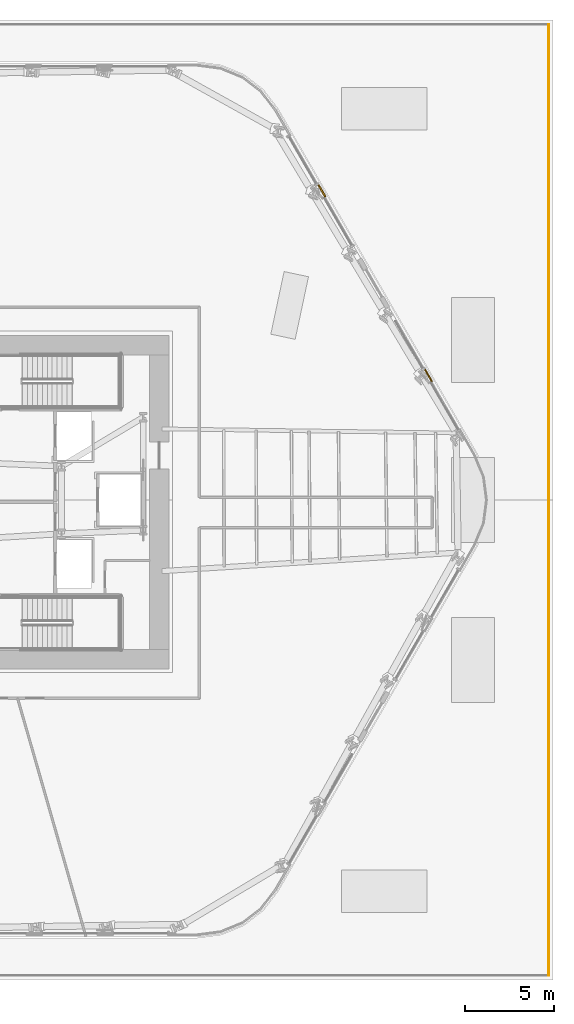
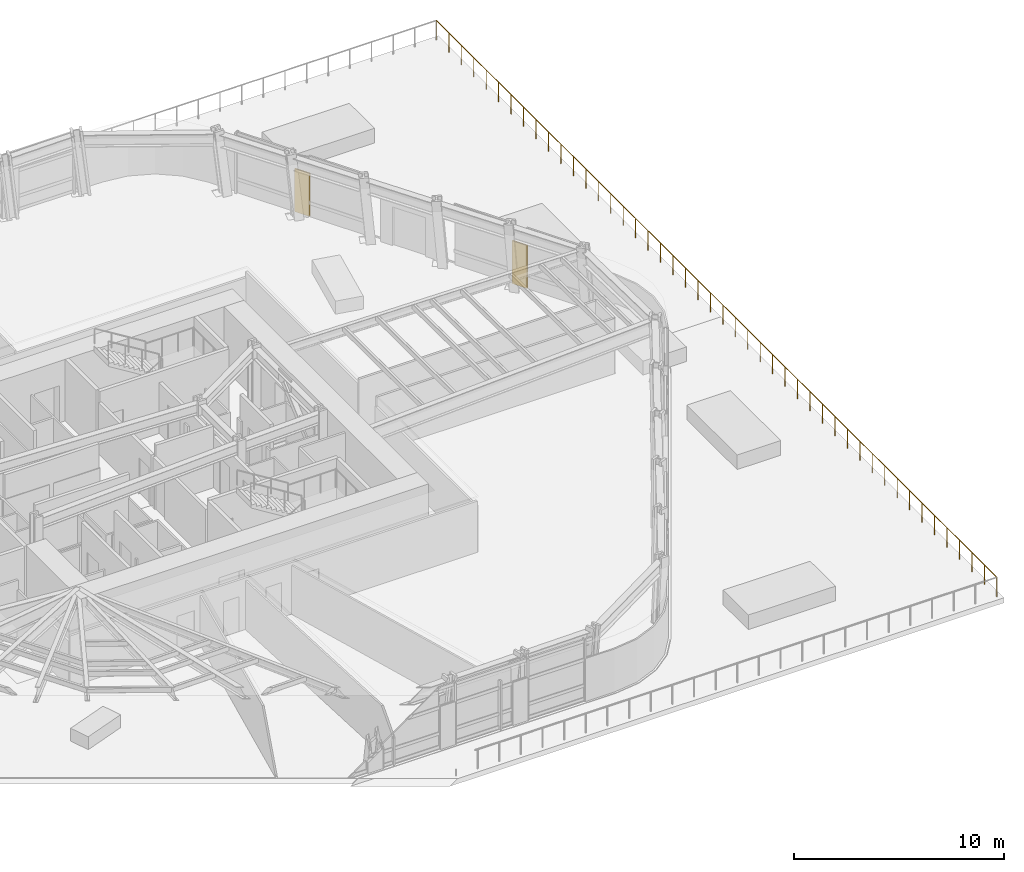
# One storey, part 17 of 18: 2 coverings, 1 railing.
"""IFC4 building model written with IfcOpenShell, lengths in metres."""

import ifcopenshell
import ifcopenshell.guid

model = None  # the IFC model being written
_history = None  # IfcOwnerHistory: only IFC2X3 demands one
_inside = {}  # id of a spatial element -> (the spatial element, [elements in it])
_under = {}  # id of a project, library or spatial element -> (it, [spatial elements below it])
_declared = {}  # id of a project -> (the project, [libraries it declares])
_typed = {}  # id of a type object -> (the type object, [elements of that type])
_made_of = {}  # id of a material, layer set ... -> (it, [elements and type objects made of it])


def new_model(schema):
    """Start an empty IFC model of exactly this schema.

    Asked for "IFC4X3", IfcOpenShell would pick the latest addendum, in which some entities
    have other attributes; the version numbers below select the first issue.
    IFC2X3 requires an IfcOwnerHistory on every rooted entity: one is made here for all.
    """
    global model, _history
    if schema == "IFC4X3":
        model = ifcopenshell.file(schema_version=(4, 3, 0, 0))
    else:
        model = ifcopenshell.file(schema=schema)
    _inside.clear()
    _under.clear()
    _declared.clear()
    _typed.clear()
    _made_of.clear()
    _history = None
    if model.schema == "IFC2X3":
        org = make("IfcOrganization", Name="unknown")
        user = make(
            "IfcPersonAndOrganization",
            ThePerson=make("IfcPerson", FamilyName="unknown"),
            TheOrganization=org,
        )
        app = make(
            "IfcApplication",
            ApplicationDeveloper=org,
            Version="unknown",
            ApplicationFullName="unknown",
            ApplicationIdentifier="unknown",
        )
        _history = make(
            "IfcOwnerHistory",
            OwningUser=user,
            OwningApplication=app,
            ChangeAction="ADDED",
            CreationDate=0,
        )
    return model


def make(cls, **values):
    """One entity of the class cls with the attributes given. An attribute that is None is left unset."""
    return model.create_entity(
        cls, **{name: value for name, value in values.items() if value is not None}
    )


def rooted(cls, **values):
    """An entity with a GlobalId (a new one), such as an element, a storey or a relation."""
    return make(cls, GlobalId=ifcopenshell.guid.new(), OwnerHistory=_history, **values)


def si_unit(unit_type, name, prefix=None):
    """IfcSIUnit, for example si_unit("LENGTHUNIT", "METRE", prefix="MILLI")."""
    return make("IfcSIUnit", UnitType=unit_type, Prefix=prefix, Name=name)


def assignment(units):
    """IfcUnitAssignment: the units of a project."""
    return None if units is None else make("IfcUnitAssignment", Units=units)


def point(xyz):
    """IfcCartesianPoint."""
    return None if xyz is None else make("IfcCartesianPoint", Coordinates=xyz)


def direction(xyz):
    """IfcDirection."""
    return None if xyz is None else make("IfcDirection", DirectionRatios=xyz)


def frame(location, z_axis=None, x_axis=None):
    """IfcAxis2Placement3D, a coordinate frame: its origin and axes. An axis left out is left unset."""
    return make(
        "IfcAxis2Placement3D",
        Location=point(location),
        Axis=direction(z_axis),
        RefDirection=direction(x_axis),
    )


def frame_2d(location, x_axis=None):
    """IfcAxis2Placement2D, a coordinate frame in the plane: its origin and x axis."""
    return make(
        "IfcAxis2Placement2D", Location=point(location), RefDirection=direction(x_axis)
    )


def origin():
    """The frame at (0, 0, 0) with its axes left unset."""
    return frame((0.0, 0.0, 0.0))


def origin_2d():
    """The frame at (0, 0) in the plane with its x axis left unset."""
    return frame_2d((0.0, 0.0))


def place(relative_to, where):
    """IfcLocalPlacement: puts the frame where relative to a parent placement (None: the world)."""
    return make(
        "IfcLocalPlacement", PlacementRelTo=relative_to, RelativePlacement=where
    )


def context(
    kind, dimensions, precision=None, world=None, true_north=None, identifier=None
):
    """IfcGeometricRepresentationContext, for example the 3D "Model" context."""
    return make(
        "IfcGeometricRepresentationContext",
        ContextIdentifier=identifier,
        ContextType=kind,
        CoordinateSpaceDimension=dimensions,
        Precision=precision,
        WorldCoordinateSystem=world,
        TrueNorth=true_north,
    )


def subcontext(parent, identifier, kind, view, scale=None):
    """IfcGeometricRepresentationSubContext, for example "Body" below "Model"."""
    return make(
        "IfcGeometricRepresentationSubContext",
        ContextIdentifier=identifier,
        ContextType=kind,
        ParentContext=parent,
        TargetScale=scale,
        TargetView=view,
    )


def project(units=None, contexts=None):
    """IfcProject with its units and contexts."""
    return rooted(
        "IfcProject",
        Name="project",
        RepresentationContexts=contexts,
        UnitsInContext=assignment(units),
    )


def spatial(cls, under=None, at=None, **own):
    """A site, building, storey or space (cls), placed at a placement, below another one or the project."""
    s = rooted(cls, ObjectPlacement=at, **own)
    if under is not None:
        _under.setdefault(under.id(), (under, []))[1].append(s)
    return s


def polyline(points):
    """IfcPolyline through the points."""
    return make("IfcPolyline", Points=[point(p) for p in points])


def profile(cls, at=None, kind="AREA", **sizes):
    """A parametric profile (cls). Its sizes go by their IFC names, for example OverallWidth=200.0."""
    return make(cls, ProfileType=kind, Position=at, **sizes)


def circle(**sizes):
    """IfcCircleProfileDef."""
    return profile("IfcCircleProfileDef", **sizes)


def outline(outer, holes=None, kind="AREA"):
    """IfcArbitraryClosedProfileDef: a profile drawn as a closed curve; with holes, ...WithVoids."""
    if holes is None:
        return make("IfcArbitraryClosedProfileDef", ProfileType=kind, OuterCurve=outer)
    return make(
        "IfcArbitraryProfileDefWithVoids",
        ProfileType=kind,
        OuterCurve=outer,
        InnerCurves=holes,
    )


def extrude(swept, where, along, depth):
    """IfcExtrudedAreaSolid: the profile swept, set in the frame where, extruded along a direction by depth."""
    return make(
        "IfcExtrudedAreaSolid",
        SweptArea=swept,
        Position=where,
        ExtrudedDirection=direction(along),
        Depth=depth,
    )


def shape(context_of_items, identifier, shape_type, items):
    """IfcShapeRepresentation: the items that make up one representation, for example the "Body"."""
    return make(
        "IfcShapeRepresentation",
        ContextOfItems=context_of_items,
        RepresentationIdentifier=identifier,
        RepresentationType=shape_type,
        Items=items,
    )


def material(Name=None, Category=None):
    """IfcMaterial."""
    return make("IfcMaterial", Name=Name, Category=Category)


def layer(
    of_material, thickness, ventilated=None, Name=None, Category=None, Priority=None
):
    """IfcMaterialLayer: one layer of a wall or slab, of a material (None: an air gap)."""
    return make(
        "IfcMaterialLayer",
        Material=of_material,
        LayerThickness=thickness,
        IsVentilated=ventilated,
        Name=Name,
        Category=Category,
        Priority=Priority,
    )


def layer_set(layers, Name=None):
    """IfcMaterialLayerSet."""
    return make("IfcMaterialLayerSet", MaterialLayers=layers, LayerSetName=Name)


def made_of(thing, what):
    """Note that an element or type object is made of a material, layer set ...; save() writes the relation."""
    if what is not None:
        _made_of.setdefault(what.id(), (what, []))[1].append(thing)
    return thing


def type_object(cls, material=None, **own):
    """A type object (cls), such as IfcWallType, which elements share."""
    return made_of(rooted(cls, **own), material)


def element(
    cls,
    number,
    at=None,
    inside=None,
    cuts=None,
    type_object=None,
    material=None,
    context=None,
    identifier="Body",
    shape_type=None,
    held_by="IfcProductDefinitionShape",
    body=None,
    shapes=None,
    **own,
):
    """One element of the class cls, such as IfcWall. Its Tag is "e" and its number.

    at: its placement. inside: the storey or other place that contains it. cuts: it is an
    opening in that element (IfcRelVoidsElement). A single representation is given by context,
    identifier, shape_type and body (its items); several are given by shapes. held_by: the class
    of the entity that holds the representations. save() writes the other relations.
    """
    e = rooted(cls, Tag="e%d" % number, ObjectPlacement=at, **own)
    if body is not None:
        shapes = [shape(context, identifier, shape_type, body)]
    if shapes is not None:
        e.Representation = make(held_by, Representations=shapes)
    if inside is not None:
        _inside.setdefault(inside.id(), (inside, []))[1].append(e)
    if cuts is not None:
        rooted(
            "IfcRelVoidsElement", RelatingBuildingElement=cuts, RelatedOpeningElement=e
        )
    if type_object is not None:
        _typed.setdefault(type_object.id(), (type_object, []))[1].append(e)
    return made_of(e, material)


def aggregate(whole, parts):
    """IfcRelAggregates: a whole, such as a stair, and the parts it consists of."""
    return rooted("IfcRelAggregates", RelatingObject=whole, RelatedObjects=parts)


def save(model, path):
    """Write the relations noted so far, then the file.

    IfcRelAggregates (storeys below a building ...), IfcRelContainedInSpatialStructure (elements
    in a storey), IfcRelDefinesByType, IfcRelAssociatesMaterial and IfcRelDeclares: one each for
    every whole, place, type object, material and project.
    """
    for whole, parts in _under.values():
        aggregate(whole, parts)
    for where, things in _inside.values():
        rooted(
            "IfcRelContainedInSpatialStructure",
            RelatedElements=things,
            RelatingStructure=where,
        )
    for kind, things in _typed.values():
        rooted("IfcRelDefinesByType", RelatedObjects=things, RelatingType=kind)
    for what, things in _made_of.values():
        rooted("IfcRelAssociatesMaterial", RelatedObjects=things, RelatingMaterial=what)
    for by, libraries in _declared.values():
        rooted("IfcRelDeclares", RelatingContext=by, RelatedDefinitions=libraries)
    model.write(path)


model = new_model("IFC4")

# Units and contexts
model_context = context("Model", 3, precision=1e-05, world=origin(), true_north=direction((0.0, 1.0)))
body_context = subcontext(model_context, "Body", "Model", "MODEL_VIEW")
ifc_project = project(units=[si_unit("LENGTHUNIT", "METRE"), si_unit("AREAUNIT", "SQUARE_METRE"), si_unit("VOLUMEUNIT", "CUBIC_METRE"), si_unit("PLANEANGLEUNIT", "RADIAN"), si_unit("MASSUNIT", "GRAM", prefix="KILO")], contexts=[model_context])

# Site, building, storey
site_placement = place(None, origin())
site = spatial("IfcSite", under=ifc_project, at=site_placement, CompositionType="ELEMENT")
building_placement = place(site_placement, origin())
building = spatial("IfcBuilding", under=site, at=building_placement, Name="Valkerne Bourse Tower", CompositionType="ELEMENT")
storey_placement = place(building_placement, frame((0.0, 0.0, 24.0)))
storey = spatial("IfcBuildingStorey", under=building, at=storey_placement, Name="L05", CompositionType="ELEMENT", Elevation=24.0)

# Coverings
ifc_material_1 = material(Name="Bronze Anodised Aluminium AA 6063-T6", Category="aluminium")
ifc_layer = layer(ifc_material_1, 0.06005859375)
ifc_layer_set = layer_set([ifc_layer], Name="Bronze Anodised Aluminium AA 6063-T6")
covering_type = type_object("IfcCoveringType", Name="COV-CRN-ALUM", PredefinedType="CLADDING", material=ifc_layer_set)
covering_1_placement = place(storey_placement, origin())
element("IfcCovering", 1, at=covering_1_placement, inside=storey, type_object=covering_type, Name="L05 Wind-Shaped Corner Aluminium Cladding 22", PredefinedType="CLADDING", context=body_context, shape_type="SweptSolid", body=[
    extrude(outline(polyline([(65.226318359375, 44.074951171875), (65.156982421875, 44.034912109375), (64.737060546875, 44.76220703125), (64.806396484375, 44.80224609375), (65.226318359375, 44.074951171875)])), origin(), (0.0, 0.0, 1.0), 2.5),
])
covering_2_placement = place(storey_placement, origin())
element("IfcCovering", 2, at=covering_2_placement, inside=storey, type_object=covering_type, Name="L05 Wind-Shaped Corner Aluminium Cladding 25", PredefinedType="CLADDING", context=body_context, shape_type="SweptSolid", body=[
    extrude(outline(polyline([(71.220458984375, 33.69287109375), (71.151123046875, 33.65283203125), (70.731201171875, 34.38037109375), (70.80029296875, 34.42041015625), (71.220458984375, 33.69287109375)])), origin(), (0.0, 0.0, 1.0), 2.5),
])

# Railing
ifc_material_2 = material(Name="Laminated Tempered Safety Glass", Category="glass")
railing_type = type_object("IfcRailingType", Name="RLG-GUARD-1150", PredefinedType="BALUSTRADE", material=ifc_material_2)
railing_placement = place(storey_placement, frame((77.75, 0.25, 0.0)))
element("IfcRailing", 3, at=railing_placement, inside=storey, type_object=railing_type, Name="L05 Perimeter Guard Railing GRD-L05-OUT-02", PredefinedType="BALUSTRADE", context=body_context, shape_type="SweptSolid", body=[
    extrude(circle(Radius=0.02392578125, at=origin_2d()), frame((0.0, 0.0, 1.1259765625), z_axis=(0.0, 1.0, 0.0), x_axis=(-1.0, 0.0, 0.0)), (0.0, 0.0, 1.0), 53.5),
    extrude(circle(Radius=0.02099609375, at=origin_2d()), origin(), (0.0, 0.0, 1.0), 1.101806640625),
    extrude(circle(Radius=0.02099609375, at=origin_2d()), frame((0.0, 1.18896484375, 0.0)), (0.0, 0.0, 1.0), 1.101806640625),
    extrude(circle(Radius=0.02099609375, at=origin_2d()), frame((0.0, 2.377685546875, 0.0)), (0.0, 0.0, 1.0), 1.101806640625),
    extrude(circle(Radius=0.02099609375, at=origin_2d()), frame((0.0, 3.566650390625, 0.0)), (0.0, 0.0, 1.0), 1.101806640625),
    extrude(circle(Radius=0.02099609375, at=origin_2d()), frame((0.0, 4.755615234375, 0.0)), (0.0, 0.0, 1.0), 1.101806640625),
    extrude(circle(Radius=0.02099609375, at=origin_2d()), frame((0.0, 5.9443359375, 0.0)), (0.0, 0.0, 1.0), 1.101806640625),
    extrude(circle(Radius=0.02099609375, at=origin_2d()), frame((0.0, 7.13330078125, 0.0)), (0.0, 0.0, 1.0), 1.101806640625),
    extrude(circle(Radius=0.02099609375, at=origin_2d()), frame((0.0, 8.322265625, 0.0)), (0.0, 0.0, 1.0), 1.101806640625),
    extrude(circle(Radius=0.02099609375, at=origin_2d()), frame((0.0, 9.51123046875, 0.0)), (0.0, 0.0, 1.0), 1.101806640625),
    extrude(circle(Radius=0.02099609375, at=origin_2d()), frame((0.0, 10.699951171875, 0.0)), (0.0, 0.0, 1.0), 1.101806640625),
    extrude(circle(Radius=0.02099609375, at=origin_2d()), frame((0.0, 11.888916015625, 0.0)), (0.0, 0.0, 1.0), 1.101806640625),
    extrude(circle(Radius=0.02099609375, at=origin_2d()), frame((0.0, 13.077880859375, 0.0)), (0.0, 0.0, 1.0), 1.101806640625),
    extrude(circle(Radius=0.02099609375, at=origin_2d()), frame((0.0, 14.2666015625, 0.0)), (0.0, 0.0, 1.0), 1.101806640625),
    extrude(circle(Radius=0.02099609375, at=origin_2d()), frame((0.0, 15.45556640625, 0.0)), (0.0, 0.0, 1.0), 1.101806640625),
    extrude(circle(Radius=0.02099609375, at=origin_2d()), frame((0.0, 16.64453125, 0.0)), (0.0, 0.0, 1.0), 1.101806640625),
    extrude(circle(Radius=0.02099609375, at=origin_2d()), frame((0.0, 17.833251953125, 0.0)), (0.0, 0.0, 1.0), 1.101806640625),
    extrude(circle(Radius=0.02099609375, at=origin_2d()), frame((0.0, 19.022216796875, 0.0)), (0.0, 0.0, 1.0), 1.101806640625),
    extrude(circle(Radius=0.02099609375, at=origin_2d()), frame((0.0, 20.211181640625, 0.0)), (0.0, 0.0, 1.0), 1.101806640625),
    extrude(circle(Radius=0.02099609375, at=origin_2d()), frame((0.0, 21.39990234375, 0.0)), (0.0, 0.0, 1.0), 1.101806640625),
    extrude(circle(Radius=0.02099609375, at=origin_2d()), frame((0.0, 22.5888671875, 0.0)), (0.0, 0.0, 1.0), 1.101806640625),
    extrude(circle(Radius=0.02099609375, at=origin_2d()), frame((0.0, 23.77783203125, 0.0)), (0.0, 0.0, 1.0), 1.101806640625),
    extrude(circle(Radius=0.02099609375, at=origin_2d()), frame((0.0, 24.966552734375, 0.0)), (0.0, 0.0, 1.0), 1.101806640625),
    extrude(circle(Radius=0.02099609375, at=origin_2d()), frame((0.0, 26.155517578125, 0.0)), (0.0, 0.0, 1.0), 1.101806640625),
    extrude(circle(Radius=0.02099609375, at=origin_2d()), frame((0.0, 27.344482421875, 0.0)), (0.0, 0.0, 1.0), 1.101806640625),
    extrude(circle(Radius=0.02099609375, at=origin_2d()), frame((0.0, 28.533447265625, 0.0)), (0.0, 0.0, 1.0), 1.101806640625),
    extrude(circle(Radius=0.02099609375, at=origin_2d()), frame((0.0, 29.72216796875, 0.0)), (0.0, 0.0, 1.0), 1.101806640625),
    extrude(circle(Radius=0.02099609375, at=origin_2d()), frame((0.0, 30.9111328125, 0.0)), (0.0, 0.0, 1.0), 1.101806640625),
    extrude(circle(Radius=0.02099609375, at=origin_2d()), frame((0.0, 32.10009765625, 0.0)), (0.0, 0.0, 1.0), 1.101806640625),
    extrude(circle(Radius=0.02099609375, at=origin_2d()), frame((0.0, 33.288818359375, 0.0)), (0.0, 0.0, 1.0), 1.101806640625),
    extrude(circle(Radius=0.02099609375, at=origin_2d()), frame((0.0, 34.477783203125, 0.0)), (0.0, 0.0, 1.0), 1.101806640625),
    extrude(circle(Radius=0.02099609375, at=origin_2d()), frame((0.0, 35.666748046875, 0.0)), (0.0, 0.0, 1.0), 1.101806640625),
    extrude(circle(Radius=0.02099609375, at=origin_2d()), frame((0.0, 36.85546875, 0.0)), (0.0, 0.0, 1.0), 1.101806640625),
    extrude(circle(Radius=0.02099609375, at=origin_2d()), frame((0.0, 38.04443359375, 0.0)), (0.0, 0.0, 1.0), 1.101806640625),
    extrude(circle(Radius=0.02099609375, at=origin_2d()), frame((0.0, 39.2333984375, 0.0)), (0.0, 0.0, 1.0), 1.101806640625),
    extrude(circle(Radius=0.02099609375, at=origin_2d()), frame((0.0, 40.422119140625, 0.0)), (0.0, 0.0, 1.0), 1.101806640625),
    extrude(circle(Radius=0.02099609375, at=origin_2d()), frame((0.0, 41.611083984375, 0.0)), (0.0, 0.0, 1.0), 1.101806640625),
    extrude(circle(Radius=0.02099609375, at=origin_2d()), frame((0.0, 42.800048828125, 0.0)), (0.0, 0.0, 1.0), 1.101806640625),
    extrude(circle(Radius=0.02099609375, at=origin_2d()), frame((0.0, 43.98876953125, 0.0)), (0.0, 0.0, 1.0), 1.101806640625),
    extrude(circle(Radius=0.02099609375, at=origin_2d()), frame((0.0, 45.177734375, 0.0)), (0.0, 0.0, 1.0), 1.101806640625),
    extrude(circle(Radius=0.02099609375, at=origin_2d()), frame((0.0, 46.36669921875, 0.0)), (0.0, 0.0, 1.0), 1.101806640625),
    extrude(circle(Radius=0.02099609375, at=origin_2d()), frame((0.0, 47.5556640625, 0.0)), (0.0, 0.0, 1.0), 1.101806640625),
    extrude(circle(Radius=0.02099609375, at=origin_2d()), frame((0.0, 48.744384765625, 0.0)), (0.0, 0.0, 1.0), 1.101806640625),
    extrude(circle(Radius=0.02099609375, at=origin_2d()), frame((0.0, 49.933349609375, 0.0)), (0.0, 0.0, 1.0), 1.101806640625),
    extrude(circle(Radius=0.02099609375, at=origin_2d()), frame((0.0, 51.122314453125, 0.0)), (0.0, 0.0, 1.0), 1.101806640625),
    extrude(circle(Radius=0.02099609375, at=origin_2d()), frame((0.0, 52.31103515625, 0.0)), (0.0, 0.0, 1.0), 1.101806640625),
    extrude(circle(Radius=0.02099609375, at=origin_2d()), frame((0.0, 53.5, 0.0)), (0.0, 0.0, 1.0), 1.101806640625),
])

save(model, "model.ifc")
